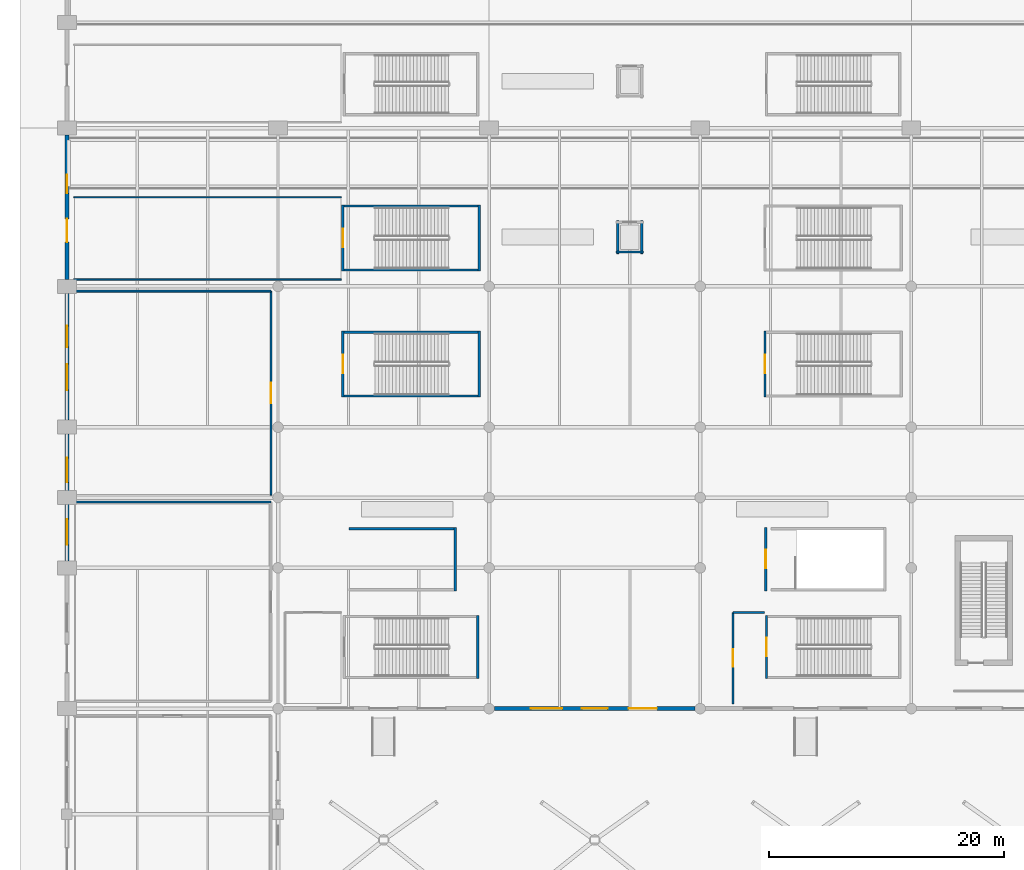
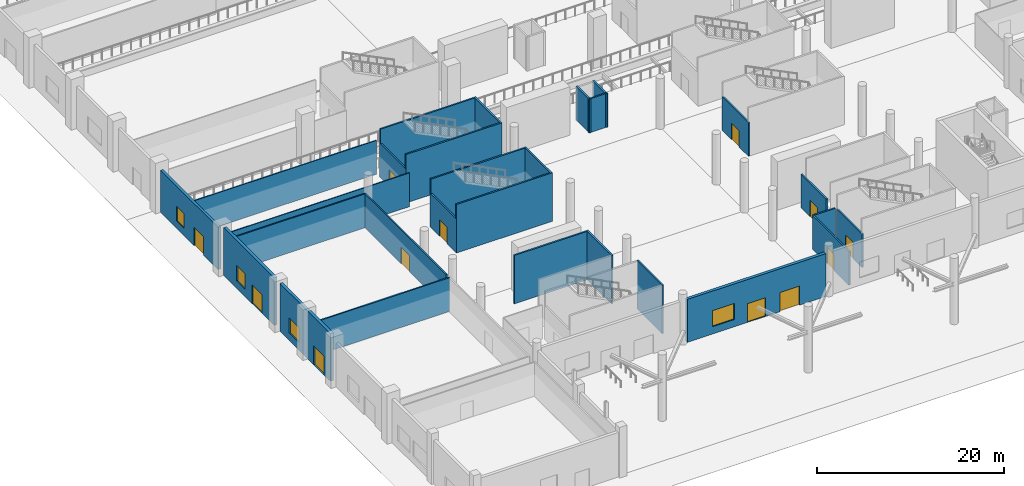
# One storey, part 14 of 65: 28 walls, 12 doors, 4 windows, 16 openings.
"""IFC4 building model written with IfcOpenShell, lengths in metres."""

from ifc_helpers import new_model, si_unit, direction, frame, frame_2d, origin, place, context, subcontext, project, spatial, rectangle, extrude, material, layer, layer_set, type_object, element, fill, save


model = new_model("IFC4")

# Units and contexts
model_context = context("Model", 3, precision=1e-05, world=origin(), true_north=direction((0.0, 1.0)))
body_context = subcontext(model_context, "Body", "Model", "MODEL_VIEW")
ifc_project = project(units=[si_unit("LENGTHUNIT", "METRE"), si_unit("AREAUNIT", "SQUARE_METRE"), si_unit("VOLUMEUNIT", "CUBIC_METRE"), si_unit("PLANEANGLEUNIT", "RADIAN"), si_unit("MASSUNIT", "GRAM", prefix="KILO")], contexts=[model_context])

# Site, building, storey
site_placement = place(None, origin())
site = spatial("IfcSite", under=ifc_project, at=site_placement, CompositionType="ELEMENT")
building_placement = place(site_placement, origin())
building = spatial("IfcBuilding", under=site, at=building_placement, Name="Chuanluo Vaults Station", CompositionType="ELEMENT")
storey_placement = place(building_placement, origin())
storey = spatial("IfcBuildingStorey", under=building, at=storey_placement, Name="L00", CompositionType="ELEMENT", Elevation=0.0)

# Wall, openings, door, window
ifc_material_1 = material(Name="Concrete C40", Category="concrete")
ifc_layer_1 = layer(ifc_material_1, 0.320068359375)
ifc_layer_set_1 = layer_set([ifc_layer_1], Name="Concrete C40")
wall_type_1 = type_object("IfcWallType", Name="WL-EXT-320", PredefinedType="SOLIDWALL", material=ifc_layer_set_1)
wall_1_placement = place(storey_placement, frame((0.0, 54.60009765625, 0.0), z_axis=(0.0, 0.0, 1.0), x_axis=(0.0, 1.0, 0.0)))
wall_1 = element("IfcWall", 1, at=wall_1_placement, inside=storey, type_object=wall_type_1, Name="West train-shed base wall 1", PredefinedType="SOLIDWALL", context=body_context, shape_type="SweptSolid", body=[
    extrude(rectangle(XDim=12.2998046875, YDim=0.320068359375, at=frame_2d((6.14990234375, 0.0))), origin(), (0.0, 0.0, 1.0), 5.4951171875),
])
opening_1_placement = place(wall_1_placement, frame((3.166748046875, 0.0, 0.0)))
opening_1 = element("IfcOpeningElement", 2, at=opening_1_placement, cuts=wall_1, Name="Opening D-E06", PredefinedType="OPENING", context=body_context, shape_type="SweptSolid", body=[
    extrude(rectangle(XDim=2.0, YDim=2.39990234375, at=frame_2d((1.0, 1.199951171875))), frame((0.0, 0.17016, 0.0), z_axis=(0.0, -1.0, 0.0), x_axis=(1.0, 0.0, 0.0)), (0.0, 0.0, 1.0), 0.34007),
])
opening_2_placement = place(wall_1_placement, frame((7.333251953125, 0.0, 0.949951171875)))
opening_2 = element("IfcOpeningElement", 3, at=opening_2_placement, cuts=wall_1, Name="Opening W-21", PredefinedType="OPENING", context=body_context, shape_type="SweptSolid", body=[
    extrude(rectangle(XDim=1.60009765625, YDim=1.89990234375, at=frame_2d((0.800048828125, 0.949951171875))), frame((0.0, 0.17016, 0.0), z_axis=(0.0, -1.0, 0.0), x_axis=(1.0, 0.0, 0.0)), (0.0, 0.0, 1.0), 0.34007),
])
ifc_material_2 = material(Name="Anodised aluminium 6063-T6", Category="aluminium")
door_type_1 = type_object("IfcDoorType", Name="DR-EXT-2000x2400", OperationType="NOTDEFINED", PredefinedType="DOOR", material=ifc_material_2)
door_1_placement = place(opening_1_placement, origin())
door_1 = element("IfcDoor", 4, at=door_1_placement, inside=storey, type_object=door_type_1, Name="D-020 West train-shed base wall 1 exit door", OperationType="SINGLE_SWING_RIGHT", OverallHeight=2.39990234375, OverallWidth=2.0, PredefinedType="DOOR", context=body_context, shape_type="SweptSolid", body=[
    extrude(rectangle(XDim=2.0, YDim=2.39990234375, at=frame_2d((1.0, 1.199951171875))), frame((0.0, 0.02490234375, 0.0), z_axis=(0.0, -1.0, 0.0), x_axis=(1.0, 0.0, 0.0)), (0.0, 0.0, 1.0), 0.050048828125),
])
fill(opening_1, door_1)
ifc_material_3 = material(Name="Double-silver Low-E laminated glass", Category="glass")
window_type_1 = type_object("IfcWindowType", Name="WN-RET-1600x1900", PartitioningType="SINGLE_PANEL", PredefinedType="WINDOW", material=ifc_material_3)
window_1_placement = place(opening_2_placement, origin())
window_1 = element("IfcWindow", 5, at=window_1_placement, inside=storey, type_object=window_type_1, Name="W-018 Ground streetwall window", OverallHeight=1.89990234375, OverallWidth=1.60009765625, PartitioningType="SINGLE_PANEL", PredefinedType="WINDOW", context=body_context, shape_type="SweptSolid", body=[
    extrude(rectangle(XDim=1.60009765625, YDim=1.89990234375, at=frame_2d((0.800048828125, 0.949951171875))), frame((0.0, 0.030029296875, 0.0), z_axis=(0.0, -1.0, 0.0), x_axis=(1.0, 0.0, 0.0)), (0.0, 0.0, 1.0), 0.06005859375),
])
fill(opening_2, window_1)

# Wall, openings, doors, window
ifc_material_4 = material(Name="Concrete C50", Category="concrete")
ifc_layer_2 = layer(ifc_material_4, 0.360107421875)
ifc_layer_set_2 = layer_set([ifc_layer_2], Name="Concrete C50")
wall_type_2 = type_object("IfcWallType", Name="WL-EXT-360", PredefinedType="SOLIDWALL", material=ifc_layer_set_2)
wall_2_placement = place(storey_placement, frame((53.550048828125, 18.0, 0.0), z_axis=(0.0, 0.0, 1.0), x_axis=(-1.0, 0.0, 0.0)))
wall_2 = element("IfcWall", 6, at=wall_2_placement, inside=storey, type_object=wall_type_2, Name="Forecourt south entrance wall 2", PredefinedType="SOLIDWALL", context=body_context, shape_type="SweptSolid", body=[
    extrude(rectangle(XDim=17.10009765625, YDim=0.360107421875, at=frame_2d((8.550048828125, 0.0))), origin(), (0.0, 0.0, 1.0), 5.594970703125),
])
opening_3_placement = place(wall_2_placement, frame((3.25, 0.0, 0.0)))
opening_3 = element("IfcOpeningElement", 7, at=opening_3_placement, cuts=wall_2, Name="Opening D-E04", PredefinedType="OPENING", context=body_context, shape_type="SweptSolid", body=[
    extrude(rectangle(XDim=2.39990234375, YDim=2.5, at=frame_2d((1.199951171875, 1.25))), frame((0.0, 0.19018, 0.0), z_axis=(0.0, -1.0, 0.0), x_axis=(1.0, 0.0, 0.0)), (0.0, 0.0, 1.0), 0.38011),
])
opening_4_placement = place(wall_2_placement, frame((7.449951171875, 0.0, 0.0)))
opening_4 = element("IfcOpeningElement", 8, at=opening_4_placement, cuts=wall_2, Name="Opening D-E05", PredefinedType="OPENING", context=body_context, shape_type="SweptSolid", body=[
    extrude(rectangle(XDim=2.199951171875, YDim=2.449951171875, at=frame_2d((1.10009765625, 1.22509765625))), frame((0.0, 0.19018, 0.0), z_axis=(0.0, -1.0, 0.0), x_axis=(1.0, 0.0, 0.0)), (0.0, 0.0, 1.0), 0.38011),
])
opening_5_placement = place(wall_2_placement, frame((11.300048828125, 0.0, 0.949951171875)))
opening_5 = element("IfcOpeningElement", 9, at=opening_5_placement, cuts=wall_2, Name="Opening W-17", PredefinedType="OPENING", context=body_context, shape_type="SweptSolid", body=[
    extrude(rectangle(XDim=2.699951171875, YDim=2.10009765625, at=frame_2d((1.35009765625, 1.050048828125))), frame((0.0, 0.19018, 0.0), z_axis=(0.0, -1.0, 0.0), x_axis=(1.0, 0.0, 0.0)), (0.0, 0.0, 1.0), 0.38011),
])
ifc_material_5 = material(Name="Anodised aluminium 6063-T6", Category="aluminium")
door_type_2 = type_object("IfcDoorType", Name="DR-EXT-2200x2450", OperationType="NOTDEFINED", PredefinedType="DOOR", material=ifc_material_5)
door_2_placement = place(opening_4_placement, origin())
door_2 = element("IfcDoor", 10, at=door_2_placement, inside=storey, type_object=door_type_2, Name="D-004 Forecourt south entrance wall 2 exit door", OperationType="SINGLE_SWING_RIGHT", OverallHeight=2.449951171875, OverallWidth=2.199951171875, PredefinedType="DOOR", context=body_context, shape_type="SweptSolid", body=[
    extrude(rectangle(XDim=2.199951171875, YDim=2.449951171875, at=frame_2d((1.10009765625, 1.22509765625))), frame((0.0, 0.02490234375, 0.0), z_axis=(0.0, -1.0, 0.0), x_axis=(1.0, 0.0, 0.0)), (0.0, 0.0, 1.0), 0.050048828125),
])
fill(opening_4, door_2)
ifc_material_6 = material(Name="Anodised aluminium 6063-T6", Category="aluminium")
door_type_3 = type_object("IfcDoorType", Name="DR-EXT-2400x2500", OperationType="NOTDEFINED", PredefinedType="DOOR", material=ifc_material_6)
door_3_placement = place(opening_3_placement, origin())
door_3 = element("IfcDoor", 11, at=door_3_placement, inside=storey, type_object=door_type_3, Name="D-003 Forecourt south entrance wall 2 exit door", OperationType="SINGLE_SWING_LEFT", OverallHeight=2.5, OverallWidth=2.39990234375, PredefinedType="DOOR", context=body_context, shape_type="SweptSolid", body=[
    extrude(rectangle(XDim=2.39990234375, YDim=2.5, at=frame_2d((1.199951171875, 1.25))), frame((0.0, 0.02490234375, 0.0), z_axis=(0.0, -1.0, 0.0), x_axis=(1.0, 0.0, 0.0)), (0.0, 0.0, 1.0), 0.050048828125),
])
fill(opening_3, door_3)
ifc_material_7 = material(Name="Double-silver Low-E laminated glass", Category="glass")
window_type_2 = type_object("IfcWindowType", Name="WN-RET-2700x2100", PartitioningType="SINGLE_PANEL", PredefinedType="WINDOW", material=ifc_material_7)
window_2_placement = place(opening_5_placement, origin())
window_2 = element("IfcWindow", 12, at=window_2_placement, inside=storey, type_object=window_type_2, Name="W-002 Ground streetwall window", OverallHeight=2.10009765625, OverallWidth=2.699951171875, PartitioningType="SINGLE_PANEL", PredefinedType="WINDOW", context=body_context, shape_type="SweptSolid", body=[
    extrude(rectangle(XDim=2.699951171875, YDim=2.10009765625, at=frame_2d((1.35009765625, 1.050048828125))), frame((0.0, 0.030029296875, 0.0), z_axis=(0.0, -1.0, 0.0), x_axis=(1.0, 0.0, 0.0)), (0.0, 0.0, 1.0), 0.06005859375),
])
fill(opening_5, window_2)

# Wall, openings, door, window
wall_3_placement = place(storey_placement, frame((0.0, 30.60009765625, 0.0), z_axis=(0.0, 0.0, 1.0), x_axis=(0.0, 1.0, 0.0)))
wall_3 = element("IfcWall", 13, at=wall_3_placement, inside=storey, type_object=wall_type_2, Name="West streetwall 3", PredefinedType="SOLIDWALL", context=body_context, shape_type="SweptSolid", body=[
    extrude(rectangle(XDim=10.7998046875, YDim=0.360107421875, at=frame_2d((5.39990234375, 0.0))), origin(), (0.0, 0.0, 1.0), 6.22509765625),
])
opening_6_placement = place(wall_3_placement, frame((1.36669921875, 0.0, 0.0)))
opening_6 = element("IfcOpeningElement", 14, at=opening_6_placement, cuts=wall_3, Name="Opening D-E05", PredefinedType="OPENING", context=body_context, shape_type="SweptSolid", body=[
    extrude(rectangle(XDim=2.199951171875, YDim=2.449951171875, at=frame_2d((1.10009765625, 1.22509765625))), frame((0.0, 0.19018, 0.0), z_axis=(0.0, -1.0, 0.0), x_axis=(1.0, 0.0, 0.0)), (0.0, 0.0, 1.0), 0.38011),
])
opening_7_placement = place(wall_3_placement, frame((6.683349609375, 0.0, 0.949951171875)))
opening_7 = element("IfcOpeningElement", 15, at=opening_7_placement, cuts=wall_3, Name="Opening W-19", PredefinedType="OPENING", context=body_context, shape_type="SweptSolid", body=[
    extrude(rectangle(XDim=2.10009765625, YDim=2.0, at=frame_2d((1.050048828125, 1.0))), frame((0.0, 0.19018, 0.0), z_axis=(0.0, -1.0, 0.0), x_axis=(1.0, 0.0, 0.0)), (0.0, 0.0, 1.0), 0.38011),
])
door_4_placement = place(opening_6_placement, origin())
door_4 = element("IfcDoor", 16, at=door_4_placement, inside=storey, type_object=door_type_2, Name="D-018 West streetwall 3 exit door", OperationType="SINGLE_SWING_RIGHT", OverallHeight=2.449951171875, OverallWidth=2.199951171875, PredefinedType="DOOR", context=body_context, shape_type="SweptSolid", body=[
    extrude(rectangle(XDim=2.199951171875, YDim=2.449951171875, at=frame_2d((1.10009765625, 1.22509765625))), frame((0.0, 0.02490234375, 0.0), z_axis=(0.0, -1.0, 0.0), x_axis=(1.0, 0.0, 0.0)), (0.0, 0.0, 1.0), 0.050048828125),
])
fill(opening_6, door_4)
ifc_material_8 = material(Name="Double-silver Low-E laminated glass", Category="glass")
window_type_3 = type_object("IfcWindowType", Name="WN-RET-2100x2000", PartitioningType="SINGLE_PANEL", PredefinedType="WINDOW", material=ifc_material_8)
window_3_placement = place(opening_7_placement, origin())
window_3 = element("IfcWindow", 17, at=window_3_placement, inside=storey, type_object=window_type_3, Name="W-016 Ground streetwall window", OverallHeight=2.0, OverallWidth=2.10009765625, PartitioningType="SINGLE_PANEL", PredefinedType="WINDOW", context=body_context, shape_type="SweptSolid", body=[
    extrude(rectangle(XDim=2.10009765625, YDim=2.0, at=frame_2d((1.050048828125, 1.0))), frame((0.0, 0.030029296875, 0.0), z_axis=(0.0, -1.0, 0.0), x_axis=(1.0, 0.0, 0.0)), (0.0, 0.0, 1.0), 0.06005859375),
])
fill(opening_7, window_3)

wall_4_placement = place(storey_placement, frame((0.0, 42.60009765625, 0.0), z_axis=(0.0, 0.0, 1.0), x_axis=(0.0, 1.0, 0.0)))
wall_4 = element("IfcWall", 18, at=wall_4_placement, inside=storey, type_object=wall_type_2, Name="West streetwall 4", PredefinedType="SOLIDWALL", context=body_context, shape_type="SweptSolid", body=[
    extrude(rectangle(XDim=10.7998046875, YDim=0.360107421875, at=frame_2d((5.39990234375, 0.0))), origin(), (0.0, 0.0, 1.0), 6.22509765625),
])
opening_8_placement = place(wall_4_placement, frame((2.566650390625, 0.0, 0.0)))
opening_8 = element("IfcOpeningElement", 19, at=opening_8_placement, cuts=wall_4, Name="Opening D-E05", PredefinedType="OPENING", context=body_context, shape_type="SweptSolid", body=[
    extrude(rectangle(XDim=2.199951171875, YDim=2.449951171875, at=frame_2d((1.10009765625, 1.22509765625))), frame((0.0, 0.19018, 0.0), z_axis=(0.0, -1.0, 0.0), x_axis=(1.0, 0.0, 0.0)), (0.0, 0.0, 1.0), 0.38011),
])
opening_9_placement = place(wall_4_placement, frame((6.2333984375, 0.0, 0.949951171875)))
opening_9 = element("IfcOpeningElement", 20, at=opening_9_placement, cuts=wall_4, Name="Opening W-20", PredefinedType="OPENING", context=body_context, shape_type="SweptSolid", body=[
    extrude(rectangle(XDim=1.800048828125, YDim=2.0, at=frame_2d((0.89990234375, 1.0))), frame((0.0, 0.19018, 0.0), z_axis=(0.0, -1.0, 0.0), x_axis=(1.0, 0.0, 0.0)), (0.0, 0.0, 1.0), 0.38011),
])
door_5_placement = place(opening_8_placement, origin())
door_5 = element("IfcDoor", 21, at=door_5_placement, inside=storey, type_object=door_type_2, Name="D-019 West streetwall 4 exit door", OperationType="SINGLE_SWING_LEFT", OverallHeight=2.449951171875, OverallWidth=2.199951171875, PredefinedType="DOOR", context=body_context, shape_type="SweptSolid", body=[
    extrude(rectangle(XDim=2.199951171875, YDim=2.449951171875, at=frame_2d((1.10009765625, 1.22509765625))), frame((0.0, 0.02490234375, 0.0), z_axis=(0.0, -1.0, 0.0), x_axis=(1.0, 0.0, 0.0)), (0.0, 0.0, 1.0), 0.050048828125),
])
fill(opening_8, door_5)
ifc_material_9 = material(Name="Double-silver Low-E laminated glass", Category="glass")
window_type_4 = type_object("IfcWindowType", Name="WN-RET-1800x2000", PartitioningType="SINGLE_PANEL", PredefinedType="WINDOW", material=ifc_material_9)
window_4_placement = place(opening_9_placement, origin())
window_4 = element("IfcWindow", 22, at=window_4_placement, inside=storey, type_object=window_type_4, Name="W-017 Ground streetwall window", OverallHeight=2.0, OverallWidth=1.800048828125, PartitioningType="SINGLE_PANEL", PredefinedType="WINDOW", context=body_context, shape_type="SweptSolid", body=[
    extrude(rectangle(XDim=1.800048828125, YDim=2.0, at=frame_2d((0.89990234375, 1.0))), frame((0.0, 0.030029296875, 0.0), z_axis=(0.0, -1.0, 0.0), x_axis=(1.0, 0.0, 0.0)), (0.0, 0.0, 1.0), 0.06005859375),
])
fill(opening_9, window_4)

# Walls
ifc_material_10 = material(Name="Masonry blockwork M10", Category="masonry")
ifc_layer_3 = layer(ifc_material_10, 0.1201171875)
ifc_layer_set_3 = layer_set([ifc_layer_3], Name="Masonry blockwork M10")
wall_type_3 = type_object("IfcWallType", Name="WL-PRT-120", PredefinedType="PARTITIONING", material=ifc_layer_set_3)
for number, where, z_axis, x_axis, name in (
    (23, (23.39990234375, 54.60009765625, 0.0), (0.0, 0.0, 1.0), (-1.0, 0.0, 0.0), "L00-EX07 Stair ST-07 Protected West Exit Passage S partition"),
    (24, (0.60009765625, 61.60009765625, 0.0), (0.0, 0.0, 1.0), (1.0, 0.0, 0.0), "L00-EX07 Stair ST-07 Protected West Exit Passage N partition"),
):
    element("IfcWall", number, at=place(storey_placement, frame(where, z_axis=z_axis, x_axis=x_axis)), inside=storey, type_object=wall_type_3, Name=name, PredefinedType="PARTITIONING", context=body_context, shape_type="SweptSolid", body=[
        extrude(rectangle(XDim=22.7998046875, YDim=0.1201171875, at=frame_2d((11.39990234375, 0.0))), origin(), (0.0, 0.0, 1.0), 4.39990234375),
    ])
ifc_material_11 = material(Name="Autoclaved aerated concrete blockwork MU10", Category="masonry")
ifc_layer_4 = layer(ifc_material_11, 0.159912109375)
ifc_layer_set_4 = layer_set([ifc_layer_4], Name="Autoclaved aerated concrete blockwork MU10")
wall_type_4 = type_object("IfcWallType", Name="WL-PRT-160", PredefinedType="PARTITIONING", material=ifc_layer_set_4)
wall_5_placement = place(storey_placement, frame((0.60009765625, 53.60009765625, 0.0), z_axis=(0.0, 0.0, 1.0), x_axis=(1.0, 0.0, 0.0)))
element("IfcWall", 25, at=wall_5_placement, inside=storey, type_object=wall_type_4, Name="L00-03 Baggage Security Screening Zone N partition", PredefinedType="PARTITIONING", context=body_context, shape_type="SweptSolid", body=[
    extrude(rectangle(XDim=16.7998046875, YDim=0.159912109375, at=frame_2d((8.39990234375, 0.0))), origin(), (0.0, 0.0, 1.0), 4.39990234375),
])

# Wall, opening, door
wall_6_placement = place(storey_placement, frame((17.39990234375, 53.60009765625, 0.0), z_axis=(0.0, 0.0, 1.0), x_axis=(0.0, -1.0, 0.0)))
wall_6 = element("IfcWall", 26, at=wall_6_placement, inside=storey, type_object=wall_type_4, Name="L00-03 Baggage Security Screening Zone E partition", PredefinedType="PARTITIONING", context=body_context, shape_type="SweptSolid", body=[
    extrude(rectangle(XDim=17.400146484375, YDim=0.159912109375, at=frame_2d((8.7001953125, 0.0))), origin(), (0.0, 0.0, 1.0), 4.39990234375),
])
opening_10_placement = place(wall_6_placement, frame((7.824951171875, 0.0, 0.0)))
opening_10 = element("IfcOpeningElement", 27, at=opening_10_placement, cuts=wall_6, Name="Opening D-I01", PredefinedType="OPENING", context=body_context, shape_type="SweptSolid", body=[
    extrude(rectangle(XDim=1.75, YDim=2.10009765625, at=frame_2d((0.875, 1.050048828125))), frame((0.0, 0.09008, 0.0), z_axis=(0.0, -1.0, 0.0), x_axis=(1.0, 0.0, 0.0)), (0.0, 0.0, 1.0), 0.17991),
])
ifc_material_12 = material(Name="Anodised aluminium 6063-T6", Category="aluminium")
door_type_4 = type_object("IfcDoorType", Name="DR-INT-1750x2100", OperationType="NOTDEFINED", PredefinedType="DOOR", material=ifc_material_12)
door_6_placement = place(opening_10_placement, origin())
door_6 = element("IfcDoor", 28, at=door_6_placement, inside=storey, type_object=door_type_4, Name="D-154 Baggage Security Screening Zone door", OperationType="SINGLE_SWING_LEFT", OverallHeight=2.10009765625, OverallWidth=1.75, PredefinedType="DOOR", context=body_context, shape_type="SweptSolid", body=[
    extrude(rectangle(XDim=1.75, YDim=2.10009765625, at=frame_2d((0.875, 1.050048828125))), frame((0.0, 0.02490234375, 0.0), z_axis=(0.0, -1.0, 0.0), x_axis=(1.0, 0.0, 0.0)), (0.0, 0.0, 1.0), 0.050048828125),
])
fill(opening_10, door_6)

# Walls
ifc_material_13 = material(Name="Autoclaved aerated concrete blockwork MU10", Category="masonry")
ifc_layer_5 = layer(ifc_material_13, 0.175048828125)
ifc_layer_set_5 = layer_set([ifc_layer_5], Name="Autoclaved aerated concrete blockwork MU10")
wall_type_5 = type_object("IfcWallType", Name="WL-PRT-175", PredefinedType="PARTITIONING", material=ifc_layer_set_5)
wall_7_placement = place(storey_placement, frame((0.60009765625, 35.60009765625, 0.0), z_axis=(0.0, 0.0, 1.0), x_axis=(1.0, 0.0, 0.0)))
element("IfcWall", 29, at=wall_7_placement, inside=storey, type_object=wall_type_5, Name="L00-02 Self-Service Ticketing Hall N partition", PredefinedType="PARTITIONING", context=body_context, shape_type="SweptSolid", body=[
    extrude(rectangle(XDim=16.7998046875, YDim=0.175048828125, at=frame_2d((8.39990234375, 0.0))), origin(), (0.0, 0.0, 1.0), 4.39990234375),
])
ifc_material_14 = material(Name="Autoclaved aerated concrete blockwork MU10", Category="masonry")
ifc_layer_6 = layer(ifc_material_14, 0.18994140625)
ifc_layer_set_6 = layer_set([ifc_layer_6], Name="Autoclaved aerated concrete blockwork MU10")
wall_type_6 = type_object("IfcWallType", Name="WL-PRT-190", PredefinedType="PARTITIONING", material=ifc_layer_set_6)
wall_8_placement = place(storey_placement, frame((56.800048828125, 26.199951171875, 0.0), z_axis=(0.0, 0.0, 1.0), x_axis=(1.0, 0.0, 0.0)))
element("IfcWall", 30, at=wall_8_placement, inside=storey, type_object=wall_type_6, Name="L00-EX19 Stair ST-19 Protected Ground Exit Lobby N partition", PredefinedType="PARTITIONING", context=body_context, shape_type="SweptSolid", body=[
    extrude(rectangle(XDim=2.699951171875, YDim=0.18994140625, at=frame_2d((1.35009765625, 0.0))), origin(), (0.0, 0.0, 1.0), 4.39990234375),
])

# Wall, opening, door
wall_9_placement = place(storey_placement, frame((56.800048828125, 18.39990234375, 0.0), z_axis=(0.0, 0.0, 1.0), x_axis=(0.0, 1.0, 0.0)))
wall_9 = element("IfcWall", 31, at=wall_9_placement, inside=storey, type_object=wall_type_6, Name="L00-EX19 Stair ST-19 Protected Ground Exit Lobby W partition", PredefinedType="PARTITIONING", context=body_context, shape_type="SweptSolid", body=[
    extrude(rectangle(XDim=7.800048828125, YDim=0.18994140625, at=frame_2d((3.89990234375, 0.0))), origin(), (0.0, 0.0, 1.0), 4.39990234375),
])
opening_11_placement = place(wall_9_placement, frame((3.14990234375, 0.0, 0.0)))
opening_11 = element("IfcOpeningElement", 32, at=opening_11_placement, cuts=wall_9, Name="Opening FD-03", PredefinedType="OPENING", context=body_context, shape_type="SweptSolid", body=[
    extrude(rectangle(XDim=1.5, YDim=2.14990234375, at=frame_2d((0.75, 1.074951171875))), frame((0.0, 0.10497, 0.0), z_axis=(0.0, -1.0, 0.0), x_axis=(1.0, 0.0, 0.0)), (0.0, 0.0, 1.0), 0.20994),
])
ifc_material_15 = material(Name="Fire-rated steel leaf", Category="steel")
door_type_5 = type_object("IfcDoorType", Name="DR-FIR-1500x2150", OperationType="NOTDEFINED", PredefinedType="DOOR", material=ifc_material_15)
door_7_placement = place(opening_11_placement, origin())
door_7 = element("IfcDoor", 33, at=door_7_placement, inside=storey, type_object=door_type_5, Name="D-152 Stair ST-19 Protected Ground Exit Lobby door", OperationType="SINGLE_SWING_LEFT", OverallHeight=2.14990234375, OverallWidth=1.5, PredefinedType="DOOR", context=body_context, shape_type="SweptSolid", body=[
    extrude(rectangle(XDim=1.5, YDim=2.14990234375, at=frame_2d((0.75, 1.074951171875))), frame((0.0, 0.02490234375, 0.0), z_axis=(0.0, -1.0, 0.0), x_axis=(1.0, 0.0, 0.0)), (0.0, 0.0, 1.0), 0.050048828125),
])
fill(opening_11, door_7)

# Walls
ifc_material_16 = material(Name="Concrete C40", Category="concrete")
ifc_layer_7 = layer(ifc_material_16, 0.199951171875)
ifc_layer_set_7 = layer_set([ifc_layer_7], Name="Concrete C40")
wall_type_7 = type_object("IfcWallType", Name="WL-SHF-200", PredefinedType="SOLIDWALL", material=ifc_layer_set_7)
for number, where, z_axis, x_axis, name in (
    (34, (23.425048828125, 55.39990234375, 0.0), (0.0, 0.0, 1.0), (1.0, 0.0, 0.0), "Stair ST-07 south shaft wall L00"),
    (35, (35.25, 60.85009765625, 0.0), (0.0, 0.0, 1.0), (-1.0, 0.0, 0.0), "Stair ST-07 north shaft wall L00"),
):
    element("IfcWall", number, at=place(storey_placement, frame(where, z_axis=z_axis, x_axis=x_axis)), inside=storey, type_object=wall_type_7, Name=name, PredefinedType="SOLIDWALL", context=body_context, shape_type="SweptSolid", body=[
        extrude(rectangle(XDim=11.824951171875, YDim=0.199951171875, at=frame_2d((5.91259765625, 0.0))), origin(), (0.0, 0.0, 1.0), 6.320068359375),
    ])
wall_10_placement = place(storey_placement, frame((35.14990234375, 55.300048828125, 0.0), z_axis=(0.0, 0.0, 1.0), x_axis=(0.0, 1.0, 0.0)))
element("IfcWall", 36, at=wall_10_placement, inside=storey, type_object=wall_type_7, Name="Stair ST-07 far shaft wall L00", PredefinedType="SOLIDWALL", context=body_context, shape_type="SweptSolid", body=[
    extrude(rectangle(XDim=5.64990234375, YDim=0.199951171875, at=frame_2d((2.824951171875, 0.0))), origin(), (0.0, 0.0, 1.0), 6.320068359375),
])

# Wall, opening, door
wall_11_placement = place(storey_placement, frame((23.52490234375, 60.949951171875, 0.0), z_axis=(0.0, 0.0, 1.0), x_axis=(0.0, -1.0, 0.0)))
wall_11 = element("IfcWall", 37, at=wall_11_placement, inside=storey, type_object=wall_type_7, Name="Stair ST-07 vestibule wall L00", PredefinedType="SOLIDWALL", context=body_context, shape_type="SweptSolid", body=[
    extrude(rectangle(XDim=5.64990234375, YDim=0.199951171875, at=frame_2d((2.824951171875, 0.0))), origin(), (0.0, 0.0, 1.0), 4.39990234375),
])
opening_12_placement = place(wall_11_placement, frame((2.02490234375, 0.0, 0.0)))
opening_12 = element("IfcOpeningElement", 38, at=opening_12_placement, cuts=wall_11, Name="Opening FD-02", PredefinedType="OPENING", context=body_context, shape_type="SweptSolid", body=[
    extrude(rectangle(XDim=1.60009765625, YDim=2.14990234375, at=frame_2d((0.800048828125, 1.074951171875))), frame((0.0, 0.1101, 0.0), z_axis=(0.0, -1.0, 0.0), x_axis=(1.0, 0.0, 0.0)), (0.0, 0.0, 1.0), 0.21995),
])
ifc_material_17 = material(Name="Fire-rated steel leaf", Category="steel")
door_type_6 = type_object("IfcDoorType", Name="DR-FIR-1600x2150", OperationType="NOTDEFINED", PredefinedType="DOOR", material=ifc_material_17)
door_8_placement = place(opening_12_placement, origin())
door_8 = element("IfcDoor", 39, at=door_8_placement, inside=storey, type_object=door_type_6, Name="D-093 Stair ST-07 fire door L00", OperationType="SINGLE_SWING_RIGHT", OverallHeight=2.14990234375, OverallWidth=1.60009765625, PredefinedType="DOOR", context=body_context, shape_type="SweptSolid", body=[
    extrude(rectangle(XDim=1.60009765625, YDim=2.14990234375, at=frame_2d((0.800048828125, 1.074951171875))), frame((0.0, 0.02490234375, 0.0), z_axis=(0.0, -1.0, 0.0), x_axis=(1.0, 0.0, 0.0)), (0.0, 0.0, 1.0), 0.050048828125),
])
fill(opening_12, door_8)

# Wall
wall_12_placement = place(storey_placement, frame((35.02490234375, 20.550048828125, 0.0), z_axis=(0.0, 0.0, 1.0), x_axis=(0.0, 1.0, 0.0)))
element("IfcWall", 40, at=wall_12_placement, inside=storey, type_object=wall_type_7, Name="Stair ST-18 far shaft wall L00", PredefinedType="SOLIDWALL", context=body_context, shape_type="SweptSolid", body=[
    extrude(rectangle(XDim=5.39990234375, YDim=0.199951171875, at=frame_2d((2.699951171875, 0.0))), origin(), (0.0, 0.0, 1.0), 6.320068359375),
])

# Wall, opening, door
wall_13_placement = place(storey_placement, frame((59.64990234375, 25.949951171875, 0.0), z_axis=(0.0, 0.0, 1.0), x_axis=(0.0, -1.0, 0.0)))
wall_13 = element("IfcWall", 41, at=wall_13_placement, inside=storey, type_object=wall_type_7, Name="Stair ST-19 vestibule wall L00", PredefinedType="SOLIDWALL", context=body_context, shape_type="SweptSolid", body=[
    extrude(rectangle(XDim=5.39990234375, YDim=0.199951171875, at=frame_2d((2.699951171875, 0.0))), origin(), (0.0, 0.0, 1.0), 4.39990234375),
])
opening_13_placement = place(wall_13_placement, frame((1.89990234375, 0.0, 0.0)))
opening_13 = element("IfcOpeningElement", 42, at=opening_13_placement, cuts=wall_13, Name="Opening FD-02", PredefinedType="OPENING", context=body_context, shape_type="SweptSolid", body=[
    extrude(rectangle(XDim=1.60009765625, YDim=2.14990234375, at=frame_2d((0.800048828125, 1.074951171875))), frame((0.0, 0.1101, 0.0), z_axis=(0.0, -1.0, 0.0), x_axis=(1.0, 0.0, 0.0)), (0.0, 0.0, 1.0), 0.21995),
])
door_9_placement = place(opening_13_placement, origin())
door_9 = element("IfcDoor", 43, at=door_9_placement, inside=storey, type_object=door_type_6, Name="D-117 Stair ST-19 fire door L00", OperationType="SINGLE_SWING_RIGHT", OverallHeight=2.14990234375, OverallWidth=1.60009765625, PredefinedType="DOOR", context=body_context, shape_type="SweptSolid", body=[
    extrude(rectangle(XDim=1.60009765625, YDim=2.14990234375, at=frame_2d((0.800048828125, 1.074951171875))), frame((0.0, 0.02490234375, 0.0), z_axis=(0.0, -1.0, 0.0), x_axis=(1.0, 0.0, 0.0)), (0.0, 0.0, 1.0), 0.050048828125),
])
fill(opening_13, door_9)

# Walls
for number, where, z_axis, x_axis, name in (
    (44, (23.425048828125, 44.64990234375, 0.0), (0.0, 0.0, 1.0), (1.0, 0.0, 0.0), "Stair ST-20 south shaft wall L00"),
    (45, (35.25, 50.10009765625, 0.0), (0.0, 0.0, 1.0), (-1.0, 0.0, 0.0), "Stair ST-20 north shaft wall L00"),
):
    element("IfcWall", number, at=place(storey_placement, frame(where, z_axis=z_axis, x_axis=x_axis)), inside=storey, type_object=wall_type_7, Name=name, PredefinedType="SOLIDWALL", context=body_context, shape_type="SweptSolid", body=[
        extrude(rectangle(XDim=11.824951171875, YDim=0.199951171875, at=frame_2d((5.91259765625, 0.0))), origin(), (0.0, 0.0, 1.0), 6.320068359375),
    ])
wall_14_placement = place(storey_placement, frame((35.14990234375, 44.550048828125, 0.0), z_axis=(0.0, 0.0, 1.0), x_axis=(0.0, 1.0, 0.0)))
element("IfcWall", 46, at=wall_14_placement, inside=storey, type_object=wall_type_7, Name="Stair ST-20 far shaft wall L00", PredefinedType="SOLIDWALL", context=body_context, shape_type="SweptSolid", body=[
    extrude(rectangle(XDim=5.64990234375, YDim=0.199951171875, at=frame_2d((2.824951171875, 0.0))), origin(), (0.0, 0.0, 1.0), 6.320068359375),
])

# Wall, opening, door
wall_15_placement = place(storey_placement, frame((23.52490234375, 50.199951171875, 0.0), z_axis=(0.0, 0.0, 1.0), x_axis=(0.0, -1.0, 0.0)))
wall_15 = element("IfcWall", 47, at=wall_15_placement, inside=storey, type_object=wall_type_7, Name="Stair ST-20 vestibule wall L00", PredefinedType="SOLIDWALL", context=body_context, shape_type="SweptSolid", body=[
    extrude(rectangle(XDim=5.64990234375, YDim=0.199951171875, at=frame_2d((2.824951171875, 0.0))), origin(), (0.0, 0.0, 1.0), 4.39990234375),
])
opening_14_placement = place(wall_15_placement, frame((2.02490234375, 0.0, 0.0)))
opening_14 = element("IfcOpeningElement", 48, at=opening_14_placement, cuts=wall_15, Name="Opening FD-02", PredefinedType="OPENING", context=body_context, shape_type="SweptSolid", body=[
    extrude(rectangle(XDim=1.60009765625, YDim=2.14990234375, at=frame_2d((0.800048828125, 1.074951171875))), frame((0.0, 0.1101, 0.0), z_axis=(0.0, -1.0, 0.0), x_axis=(1.0, 0.0, 0.0)), (0.0, 0.0, 1.0), 0.21995),
])
door_10_placement = place(opening_14_placement, origin())
door_10 = element("IfcDoor", 49, at=door_10_placement, inside=storey, type_object=door_type_6, Name="D-119 Stair ST-20 fire door L00", OperationType="SINGLE_SWING_RIGHT", OverallHeight=2.14990234375, OverallWidth=1.60009765625, PredefinedType="DOOR", context=body_context, shape_type="SweptSolid", body=[
    extrude(rectangle(XDim=1.60009765625, YDim=2.14990234375, at=frame_2d((0.800048828125, 1.074951171875))), frame((0.0, 0.02490234375, 0.0), z_axis=(0.0, -1.0, 0.0), x_axis=(1.0, 0.0, 0.0)), (0.0, 0.0, 1.0), 0.050048828125),
])
fill(opening_14, door_10)

wall_16_placement = place(storey_placement, frame((59.52490234375, 50.199951171875, 0.0), z_axis=(0.0, 0.0, 1.0), x_axis=(0.0, -1.0, 0.0)))
wall_16 = element("IfcWall", 50, at=wall_16_placement, inside=storey, type_object=wall_type_7, Name="Stair ST-21 vestibule wall L00", PredefinedType="SOLIDWALL", context=body_context, shape_type="SweptSolid", body=[
    extrude(rectangle(XDim=5.64990234375, YDim=0.199951171875, at=frame_2d((2.824951171875, 0.0))), origin(), (0.0, 0.0, 1.0), 4.39990234375),
])
opening_15_placement = place(wall_16_placement, frame((2.02490234375, 0.0, 0.0)))
opening_15 = element("IfcOpeningElement", 51, at=opening_15_placement, cuts=wall_16, Name="Opening FD-02", PredefinedType="OPENING", context=body_context, shape_type="SweptSolid", body=[
    extrude(rectangle(XDim=1.60009765625, YDim=2.14990234375, at=frame_2d((0.800048828125, 1.074951171875))), frame((0.0, 0.1101, 0.0), z_axis=(0.0, -1.0, 0.0), x_axis=(1.0, 0.0, 0.0)), (0.0, 0.0, 1.0), 0.21995),
])
door_11_placement = place(opening_15_placement, origin())
door_11 = element("IfcDoor", 52, at=door_11_placement, inside=storey, type_object=door_type_6, Name="D-121 Stair ST-21 fire door L00", OperationType="SINGLE_SWING_RIGHT", OverallHeight=2.14990234375, OverallWidth=1.60009765625, PredefinedType="DOOR", context=body_context, shape_type="SweptSolid", body=[
    extrude(rectangle(XDim=1.60009765625, YDim=2.14990234375, at=frame_2d((0.800048828125, 1.074951171875))), frame((0.0, 0.02490234375, 0.0), z_axis=(0.0, -1.0, 0.0), x_axis=(1.0, 0.0, 0.0)), (0.0, 0.0, 1.0), 0.050048828125),
])
fill(opening_15, door_11)

# Walls
wall_17_placement = place(storey_placement, frame((33.22509765625, 33.35009765625, 0.0), z_axis=(0.0, 0.0, 1.0), x_axis=(-1.0, 0.0, 0.0)))
element("IfcWall", 53, at=wall_17_placement, inside=storey, type_object=wall_type_7, Name="Stair ST-22 north shaft wall L00", PredefinedType="SOLIDWALL", context=body_context, shape_type="SweptSolid", body=[
    extrude(rectangle(XDim=9.175048828125, YDim=0.199951171875, at=frame_2d((4.58740234375, 0.0))), origin(), (0.0, 0.0, 1.0), 6.320068359375),
])
wall_18_placement = place(storey_placement, frame((33.125, 28.050048828125, 0.0), z_axis=(0.0, 0.0, 1.0), x_axis=(0.0, 1.0, 0.0)))
element("IfcWall", 54, at=wall_18_placement, inside=storey, type_object=wall_type_7, Name="Stair ST-22 far shaft wall L00", PredefinedType="SOLIDWALL", context=body_context, shape_type="SweptSolid", body=[
    extrude(rectangle(XDim=5.39990234375, YDim=0.199951171875, at=frame_2d((2.699951171875, 0.0))), origin(), (0.0, 0.0, 1.0), 6.320068359375),
])

# Wall, opening, door
wall_19_placement = place(storey_placement, frame((59.58740234375, 33.449951171875, 0.0), z_axis=(0.0, 0.0, 1.0), x_axis=(0.0, -1.0, 0.0)))
wall_19 = element("IfcWall", 55, at=wall_19_placement, inside=storey, type_object=wall_type_7, Name="Stair ST-24 vestibule wall L00", PredefinedType="SOLIDWALL", context=body_context, shape_type="SweptSolid", body=[
    extrude(rectangle(XDim=5.39990234375, YDim=0.199951171875, at=frame_2d((2.699951171875, 0.0))), origin(), (0.0, 0.0, 1.0), 4.39990234375),
])
opening_16_placement = place(wall_19_placement, frame((1.89990234375, 0.0, 0.0)))
opening_16 = element("IfcOpeningElement", 56, at=opening_16_placement, cuts=wall_19, Name="Opening FD-02", PredefinedType="OPENING", context=body_context, shape_type="SweptSolid", body=[
    extrude(rectangle(XDim=1.60009765625, YDim=2.14990234375, at=frame_2d((0.800048828125, 1.074951171875))), frame((0.0, 0.1101, 0.0), z_axis=(0.0, -1.0, 0.0), x_axis=(1.0, 0.0, 0.0)), (0.0, 0.0, 1.0), 0.21995),
])
door_12_placement = place(opening_16_placement, origin())
door_12 = element("IfcDoor", 57, at=door_12_placement, inside=storey, type_object=door_type_6, Name="D-128 Stair ST-24 fire door L00", OperationType="SINGLE_SWING_LEFT", OverallHeight=2.14990234375, OverallWidth=1.60009765625, PredefinedType="DOOR", context=body_context, shape_type="SweptSolid", body=[
    extrude(rectangle(XDim=1.60009765625, YDim=2.14990234375, at=frame_2d((0.800048828125, 1.074951171875))), frame((0.0, 0.02490234375, 0.0), z_axis=(0.0, -1.0, 0.0), x_axis=(1.0, 0.0, 0.0)), (0.0, 0.0, 1.0), 0.050048828125),
])
fill(opening_16, door_12)

# Walls
wall_20_placement = place(storey_placement, frame((46.830078125, 56.929931640625, 0.0), z_axis=(0.0, 0.0, 1.0), x_axis=(1.0, 0.0, 0.0)))
element("IfcWall", 58, at=wall_20_placement, inside=storey, type_object=wall_type_7, Name="Lift PL-01 shaft wall L00 -Y", PredefinedType="SOLIDWALL", context=body_context, shape_type="SweptSolid", body=[
    extrude(rectangle(XDim=2.33984375, YDim=0.199951171875, at=frame_2d((1.169921875, 0.0))), origin(), (0.0, 0.0, 1.0), 4.39990234375),
])
for number, where, z_axis, x_axis, name in (
    (59, (46.97998046875, 59.6201171875, 0.0), (0.0, 0.0, 1.0), (0.0, -1.0, 0.0), "Lift PL-01 shaft wall L00 -X"),
    (60, (49.02001953125, 56.780029296875, 0.0), (0.0, 0.0, 1.0), (0.0, 1.0, 0.0), "Lift PL-01 shaft wall L00 +X"),
):
    element("IfcWall", number, at=place(storey_placement, frame(where, z_axis=z_axis, x_axis=x_axis)), inside=storey, type_object=wall_type_7, Name=name, PredefinedType="SOLIDWALL", context=body_context, shape_type="SweptSolid", body=[
        extrude(rectangle(XDim=2.840087890625, YDim=0.199951171875, at=frame_2d((1.419921875, 0.0))), origin(), (0.0, 0.0, 1.0), 4.39990234375),
    ])

save(model, "model.ifc")
